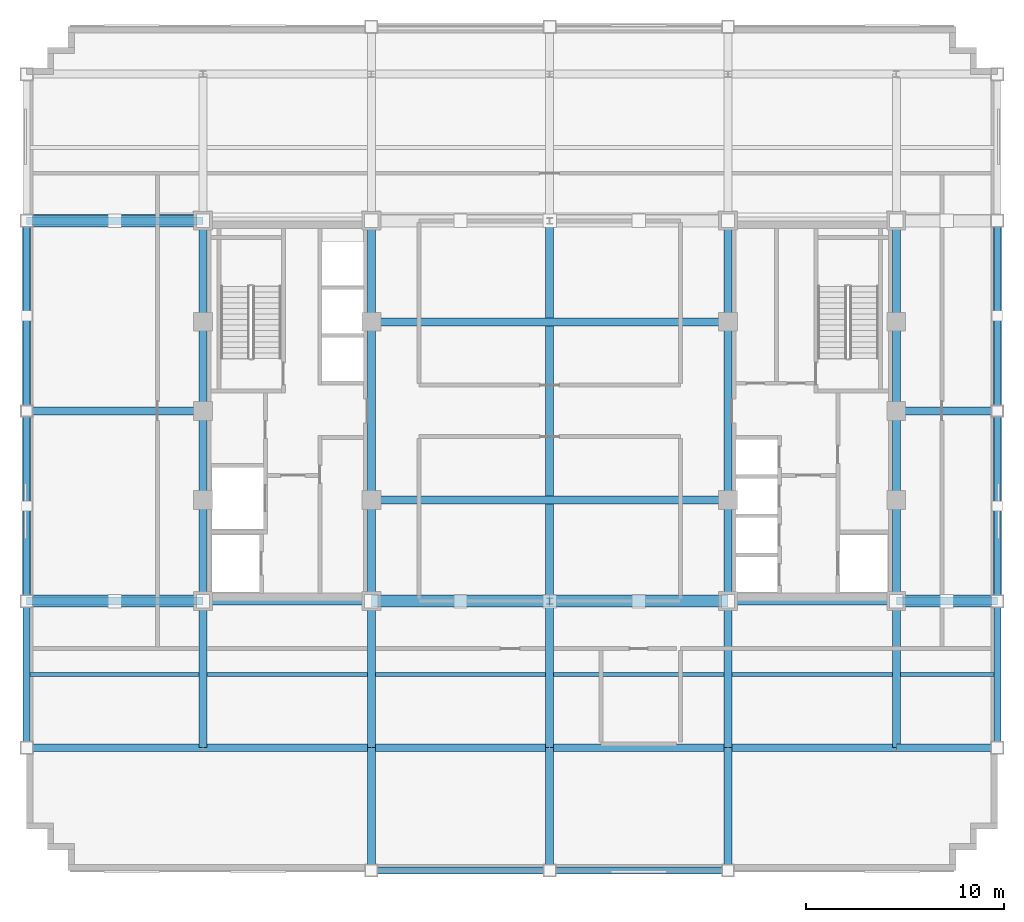
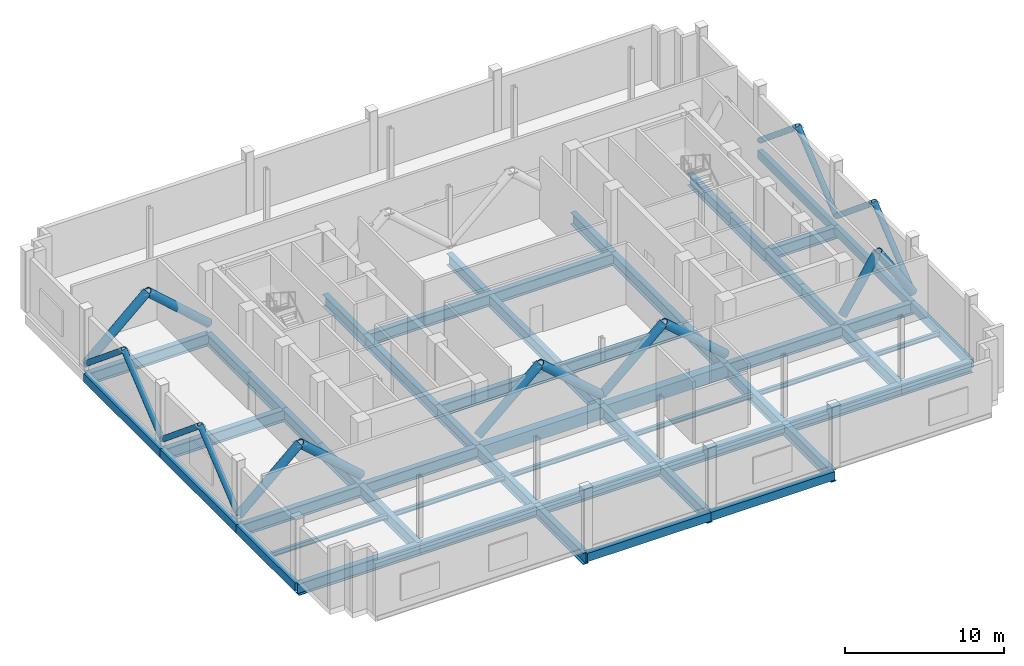
# One storey, part 5 of 13: 54 beams, 18 members.
"""IFC4 building model written with IfcOpenShell, lengths in metres."""

from ifc_helpers import new_model, si_unit, direction, frame, origin, origin_2d, place, context, subcontext, project, spatial, rectangle, hollow_circle, i_section, extrude, material, material_profile, profile_set, type_object, element, save


model = new_model("IFC4")

# Units and contexts
model_context = context("Model", 3, precision=1e-05, world=origin(), true_north=direction((0.0, 1.0)))
body_context = subcontext(model_context, "Body", "Model", "MODEL_VIEW")
ifc_project = project(units=[si_unit("LENGTHUNIT", "METRE"), si_unit("AREAUNIT", "SQUARE_METRE"), si_unit("VOLUMEUNIT", "CUBIC_METRE"), si_unit("PLANEANGLEUNIT", "RADIAN"), si_unit("MASSUNIT", "GRAM", prefix="KILO")], contexts=[model_context])

# Site, building, storey
site_placement = place(None, origin())
site = spatial("IfcSite", under=ifc_project, at=site_placement, CompositionType="ELEMENT")
building_placement = place(site_placement, origin())
building = spatial("IfcBuilding", under=site, at=building_placement, Name="Nuvemarco Arch Tower", CompositionType="ELEMENT")
storey_placement = place(building_placement, frame((0.0, 0.0, 185.89990234375)))
storey = spatial("IfcBuildingStorey", under=building, at=storey_placement, Name="L49", CompositionType="ELEMENT", Elevation=185.89990234375)

# Beams
ifc_material_1 = material(Name="Concrete C60/75", Category="concrete")
ifc_material_profile_1 = material_profile(ifc_material_1, rectangle(XDim=0.60009765625, YDim=0.949951171875, at=origin_2d()), Name="RC-BM-600x950")
ifc_profile_set_1 = profile_set([ifc_material_profile_1], Name="Concrete C60/75")
beam_type_1 = type_object("IfcBeamType", Name="BM-COUP-RC", PredefinedType="LINTEL", material=ifc_profile_set_1)
for number, where, z_axis, x_axis, name in (
    (1, (-9.0, -9.60009765625, -0.875), (1.0, 0.0, 0.0), (0.0, 1.0, 0.0), "L49 structural beam BGEW_L49_0_-9.6_-9.0"),
    (2, (0.0, -9.60009765625, -0.875), (1.0, 0.0, 0.0), (0.0, 1.0, 0.0), "L49 structural beam BGEW_L49_0_-9.6_+0.0"),
):
    element("IfcBeam", number, at=place(storey_placement, frame(where, z_axis=z_axis, x_axis=x_axis)), inside=storey, type_object=beam_type_1, Name=name, PredefinedType="LINTEL", context=body_context, shape_type="SweptSolid", body=[
        extrude(rectangle(XDim=0.60009765625, YDim=0.949951171875, at=origin_2d()), origin(), (0.0, 0.0, 1.0), 9.0),
    ])
ifc_material_2 = material(Name="Steel S355", Category="steel")
ifc_material_profile_2 = material_profile(ifc_material_2, i_section(OverallWidth=0.39990234375, OverallDepth=0.89990234375, WebThickness=0.02197265625, FlangeThickness=0.035888671875, FilletRadius=0.01611328125, at=origin_2d()), Name="PG900x400")
ifc_profile_set_2 = profile_set([ifc_material_profile_2], Name="Steel S355")
beam_type_2 = type_object("IfcBeamType", Name="BM-GIRD-900", PredefinedType="BEAM", material=ifc_profile_set_2)
beam_1_placement = place(storey_placement, frame((-17.5, -17.0, -0.849853515625), z_axis=(0.0, 1.0, 0.0), x_axis=(-1.0, 0.0, 0.0)))
element("IfcBeam", 3, at=beam_1_placement, inside=storey, type_object=beam_type_2, Name="L49 structural beam BGNS_L49_0_-17.5_-17.0", PredefinedType="BEAM", context=body_context, shape_type="SweptSolid", body=[
    extrude(i_section(OverallWidth=0.39990234375, OverallDepth=0.89990234375, WebThickness=0.02197265625, FlangeThickness=0.035888671875, FilletRadius=0.01611328125, at=origin_2d()), origin(), (0.0, 0.0, 1.0), 7.39990234375),
])
beam_2_placement = place(storey_placement, frame((-17.5, -9.60009765625, -0.849853515625), z_axis=(0.0, 1.0, 0.0), x_axis=(-1.0, 0.0, 0.0)))
element("IfcBeam", 4, at=beam_2_placement, inside=storey, type_object=beam_type_2, Name="L49 structural beam BGNS_L49_0_-17.5_-9.6", PredefinedType="BEAM", context=body_context, shape_type="SweptSolid", body=[
    extrude(i_section(OverallWidth=0.39990234375, OverallDepth=0.89990234375, WebThickness=0.02197265625, FlangeThickness=0.035888671875, FilletRadius=0.01611328125, at=origin_2d()), origin(), (0.0, 0.0, 1.0), 5.10009765625),
])
for number, where, z_axis, x_axis, name in (
    (5, (-17.5, -4.5, -0.849853515625), (0.0, 1.0, 0.0), (-1.0, 0.0, 0.0), "L49 structural beam BGNS_L49_0_-17.5_-4.5"),
    (6, (-17.5, 0.0, -0.849853515625), (0.0, 1.0, 0.0), (-1.0, 0.0, 0.0), "L49 structural beam BGNS_L49_0_-17.5_+0.0"),
):
    element("IfcBeam", number, at=place(storey_placement, frame(where, z_axis=z_axis, x_axis=x_axis)), inside=storey, type_object=beam_type_2, Name=name, PredefinedType="BEAM", context=body_context, shape_type="SweptSolid", body=[
        extrude(i_section(OverallWidth=0.39990234375, OverallDepth=0.89990234375, WebThickness=0.02197265625, FlangeThickness=0.035888671875, FilletRadius=0.01611328125, at=origin_2d()), origin(), (0.0, 0.0, 1.0), 4.5),
    ])
beam_3_placement = place(storey_placement, frame((-17.5, 4.5, -0.849853515625), z_axis=(0.0, 1.0, 0.0), x_axis=(-1.0, 0.0, 0.0)))
element("IfcBeam", 7, at=beam_3_placement, inside=storey, type_object=beam_type_2, Name="L49 structural beam BGNS_L49_0_-17.5_+4.5", PredefinedType="BEAM", context=body_context, shape_type="SweptSolid", body=[
    extrude(i_section(OverallWidth=0.39990234375, OverallDepth=0.89990234375, WebThickness=0.02197265625, FlangeThickness=0.035888671875, FilletRadius=0.01611328125, at=origin_2d()), origin(), (0.0, 0.0, 1.0), 5.10009765625),
])
beam_4_placement = place(storey_placement, frame((-9.0, -23.199951171875, -0.849853515625), z_axis=(0.0, 1.0, 0.0), x_axis=(-1.0, 0.0, 0.0)))
element("IfcBeam", 8, at=beam_4_placement, inside=storey, type_object=beam_type_2, Name="L49 structural beam BGNS_L49_0_-9.0_-23.2", PredefinedType="BEAM", context=body_context, shape_type="SweptSolid", body=[
    extrude(i_section(OverallWidth=0.39990234375, OverallDepth=0.89990234375, WebThickness=0.02197265625, FlangeThickness=0.035888671875, FilletRadius=0.01611328125, at=origin_2d()), origin(), (0.0, 0.0, 1.0), 6.199951171875),
])
beam_5_placement = place(storey_placement, frame((-9.0, -17.0, -0.849853515625), z_axis=(0.0, 1.0, 0.0), x_axis=(-1.0, 0.0, 0.0)))
element("IfcBeam", 9, at=beam_5_placement, inside=storey, type_object=beam_type_2, Name="L49 structural beam BGNS_L49_0_-9.0_-17.0", PredefinedType="BEAM", context=body_context, shape_type="SweptSolid", body=[
    extrude(i_section(OverallWidth=0.39990234375, OverallDepth=0.89990234375, WebThickness=0.02197265625, FlangeThickness=0.035888671875, FilletRadius=0.01611328125, at=origin_2d()), origin(), (0.0, 0.0, 1.0), 7.39990234375),
])
beam_6_placement = place(storey_placement, frame((-9.0, -9.60009765625, -0.849853515625), z_axis=(0.0, 1.0, 0.0), x_axis=(-1.0, 0.0, 0.0)))
element("IfcBeam", 10, at=beam_6_placement, inside=storey, type_object=beam_type_2, Name="L49 structural beam BGNS_L49_0_-9.0_-9.6", PredefinedType="BEAM", context=body_context, shape_type="SweptSolid", body=[
    extrude(i_section(OverallWidth=0.39990234375, OverallDepth=0.89990234375, WebThickness=0.02197265625, FlangeThickness=0.035888671875, FilletRadius=0.01611328125, at=origin_2d()), origin(), (0.0, 0.0, 1.0), 5.10009765625),
])
beam_7_placement = place(storey_placement, frame((-9.0, -4.5, -0.849853515625), z_axis=(0.0, 1.0, 0.0), x_axis=(-1.0, 0.0, 0.0)))
element("IfcBeam", 11, at=beam_7_placement, inside=storey, type_object=beam_type_2, Name="L49 structural beam BGNS_L49_0_-9.0_-4.5", PredefinedType="BEAM", context=body_context, shape_type="SweptSolid", body=[
    extrude(i_section(OverallWidth=0.39990234375, OverallDepth=0.89990234375, WebThickness=0.02197265625, FlangeThickness=0.035888671875, FilletRadius=0.01611328125, at=origin_2d()), origin(), (0.0, 0.0, 1.0), 9.0),
])
beam_8_placement = place(storey_placement, frame((-9.0, 4.5, -0.849853515625), z_axis=(0.0, 1.0, 0.0), x_axis=(-1.0, 0.0, 0.0)))
element("IfcBeam", 12, at=beam_8_placement, inside=storey, type_object=beam_type_2, Name="L49 structural beam BGNS_L49_0_-9.0_+4.5", PredefinedType="BEAM", context=body_context, shape_type="SweptSolid", body=[
    extrude(i_section(OverallWidth=0.39990234375, OverallDepth=0.89990234375, WebThickness=0.02197265625, FlangeThickness=0.035888671875, FilletRadius=0.01611328125, at=origin_2d()), origin(), (0.0, 0.0, 1.0), 5.10009765625),
])
beam_9_placement = place(storey_placement, frame((0.0, -23.199951171875, -0.849853515625), z_axis=(0.0, 1.0, 0.0), x_axis=(-1.0, 0.0, 0.0)))
element("IfcBeam", 13, at=beam_9_placement, inside=storey, type_object=beam_type_2, Name="L49 structural beam BGNS_L49_0_+0.0_-23.2", PredefinedType="BEAM", context=body_context, shape_type="SweptSolid", body=[
    extrude(i_section(OverallWidth=0.39990234375, OverallDepth=0.89990234375, WebThickness=0.02197265625, FlangeThickness=0.035888671875, FilletRadius=0.01611328125, at=origin_2d()), origin(), (0.0, 0.0, 1.0), 6.199951171875),
])
beam_10_placement = place(storey_placement, frame((0.0, -17.0, -0.849853515625), z_axis=(0.0, 1.0, 0.0), x_axis=(-1.0, 0.0, 0.0)))
element("IfcBeam", 14, at=beam_10_placement, inside=storey, type_object=beam_type_2, Name="L49 structural beam BGNS_L49_0_+0.0_-17.0", PredefinedType="BEAM", context=body_context, shape_type="SweptSolid", body=[
    extrude(i_section(OverallWidth=0.39990234375, OverallDepth=0.89990234375, WebThickness=0.02197265625, FlangeThickness=0.035888671875, FilletRadius=0.01611328125, at=origin_2d()), origin(), (0.0, 0.0, 1.0), 7.39990234375),
])
beam_11_placement = place(storey_placement, frame((0.0, -9.60009765625, -0.849853515625), z_axis=(0.0, 1.0, 0.0), x_axis=(-1.0, 0.0, 0.0)))
element("IfcBeam", 15, at=beam_11_placement, inside=storey, type_object=beam_type_2, Name="L49 structural beam BGNS_L49_0_+0.0_-9.6", PredefinedType="BEAM", context=body_context, shape_type="SweptSolid", body=[
    extrude(i_section(OverallWidth=0.39990234375, OverallDepth=0.89990234375, WebThickness=0.02197265625, FlangeThickness=0.035888671875, FilletRadius=0.01611328125, at=origin_2d()), origin(), (0.0, 0.0, 1.0), 19.2001953125),
])
beam_12_placement = place(storey_placement, frame((9.0, -23.199951171875, -0.849853515625), z_axis=(0.0, 1.0, 0.0), x_axis=(-1.0, 0.0, 0.0)))
element("IfcBeam", 16, at=beam_12_placement, inside=storey, type_object=beam_type_2, Name="L49 structural beam BGNS_L49_0_+9.0_-23.2", PredefinedType="BEAM", context=body_context, shape_type="SweptSolid", body=[
    extrude(i_section(OverallWidth=0.39990234375, OverallDepth=0.89990234375, WebThickness=0.02197265625, FlangeThickness=0.035888671875, FilletRadius=0.01611328125, at=origin_2d()), origin(), (0.0, 0.0, 1.0), 6.199951171875),
])
beam_13_placement = place(storey_placement, frame((9.0, -17.0, -0.849853515625), z_axis=(0.0, 1.0, 0.0), x_axis=(-1.0, 0.0, 0.0)))
element("IfcBeam", 17, at=beam_13_placement, inside=storey, type_object=beam_type_2, Name="L49 structural beam BGNS_L49_0_+9.0_-17.0", PredefinedType="BEAM", context=body_context, shape_type="SweptSolid", body=[
    extrude(i_section(OverallWidth=0.39990234375, OverallDepth=0.89990234375, WebThickness=0.02197265625, FlangeThickness=0.035888671875, FilletRadius=0.01611328125, at=origin_2d()), origin(), (0.0, 0.0, 1.0), 7.39990234375),
])
beam_14_placement = place(storey_placement, frame((9.0, -9.60009765625, -0.849853515625), z_axis=(0.0, 1.0, 0.0), x_axis=(-1.0, 0.0, 0.0)))
element("IfcBeam", 18, at=beam_14_placement, inside=storey, type_object=beam_type_2, Name="L49 structural beam BGNS_L49_0_+9.0_-9.6", PredefinedType="BEAM", context=body_context, shape_type="SweptSolid", body=[
    extrude(i_section(OverallWidth=0.39990234375, OverallDepth=0.89990234375, WebThickness=0.02197265625, FlangeThickness=0.035888671875, FilletRadius=0.01611328125, at=origin_2d()), origin(), (0.0, 0.0, 1.0), 5.10009765625),
])
beam_15_placement = place(storey_placement, frame((9.0, -4.5, -0.849853515625), z_axis=(0.0, 1.0, 0.0), x_axis=(-1.0, 0.0, 0.0)))
element("IfcBeam", 19, at=beam_15_placement, inside=storey, type_object=beam_type_2, Name="L49 structural beam BGNS_L49_0_+9.0_-4.5", PredefinedType="BEAM", context=body_context, shape_type="SweptSolid", body=[
    extrude(i_section(OverallWidth=0.39990234375, OverallDepth=0.89990234375, WebThickness=0.02197265625, FlangeThickness=0.035888671875, FilletRadius=0.01611328125, at=origin_2d()), origin(), (0.0, 0.0, 1.0), 9.0),
])
beam_16_placement = place(storey_placement, frame((9.0, 4.5, -0.849853515625), z_axis=(0.0, 1.0, 0.0), x_axis=(-1.0, 0.0, 0.0)))
element("IfcBeam", 20, at=beam_16_placement, inside=storey, type_object=beam_type_2, Name="L49 structural beam BGNS_L49_0_+9.0_+4.5", PredefinedType="BEAM", context=body_context, shape_type="SweptSolid", body=[
    extrude(i_section(OverallWidth=0.39990234375, OverallDepth=0.89990234375, WebThickness=0.02197265625, FlangeThickness=0.035888671875, FilletRadius=0.01611328125, at=origin_2d()), origin(), (0.0, 0.0, 1.0), 5.10009765625),
])
beam_17_placement = place(storey_placement, frame((17.5, -17.0, -0.849853515625), z_axis=(0.0, 1.0, 0.0), x_axis=(-1.0, 0.0, 0.0)))
element("IfcBeam", 21, at=beam_17_placement, inside=storey, type_object=beam_type_2, Name="L49 structural beam BGNS_L49_0_+17.5_-17.0", PredefinedType="BEAM", context=body_context, shape_type="SweptSolid", body=[
    extrude(i_section(OverallWidth=0.39990234375, OverallDepth=0.89990234375, WebThickness=0.02197265625, FlangeThickness=0.035888671875, FilletRadius=0.01611328125, at=origin_2d()), origin(), (0.0, 0.0, 1.0), 7.39990234375),
])
beam_18_placement = place(storey_placement, frame((17.5, -9.60009765625, -0.849853515625), z_axis=(0.0, 1.0, 0.0), x_axis=(-1.0, 0.0, 0.0)))
element("IfcBeam", 22, at=beam_18_placement, inside=storey, type_object=beam_type_2, Name="L49 structural beam BGNS_L49_0_+17.5_-9.6", PredefinedType="BEAM", context=body_context, shape_type="SweptSolid", body=[
    extrude(i_section(OverallWidth=0.39990234375, OverallDepth=0.89990234375, WebThickness=0.02197265625, FlangeThickness=0.035888671875, FilletRadius=0.01611328125, at=origin_2d()), origin(), (0.0, 0.0, 1.0), 5.10009765625),
])
for number, where, z_axis, x_axis, name in (
    (23, (17.5, -4.5, -0.849853515625), (0.0, 1.0, 0.0), (-1.0, 0.0, 0.0), "L49 structural beam BGNS_L49_0_+17.5_-4.5"),
    (24, (17.5, 0.0, -0.849853515625), (0.0, 1.0, 0.0), (-1.0, 0.0, 0.0), "L49 structural beam BGNS_L49_0_+17.5_+0.0"),
):
    element("IfcBeam", number, at=place(storey_placement, frame(where, z_axis=z_axis, x_axis=x_axis)), inside=storey, type_object=beam_type_2, Name=name, PredefinedType="BEAM", context=body_context, shape_type="SweptSolid", body=[
        extrude(i_section(OverallWidth=0.39990234375, OverallDepth=0.89990234375, WebThickness=0.02197265625, FlangeThickness=0.035888671875, FilletRadius=0.01611328125, at=origin_2d()), origin(), (0.0, 0.0, 1.0), 4.5),
    ])
beam_19_placement = place(storey_placement, frame((17.5, 4.5, -0.849853515625), z_axis=(0.0, 1.0, 0.0), x_axis=(-1.0, 0.0, 0.0)))
element("IfcBeam", 25, at=beam_19_placement, inside=storey, type_object=beam_type_2, Name="L49 structural beam BGNS_L49_0_+17.5_+4.5", PredefinedType="BEAM", context=body_context, shape_type="SweptSolid", body=[
    extrude(i_section(OverallWidth=0.39990234375, OverallDepth=0.89990234375, WebThickness=0.02197265625, FlangeThickness=0.035888671875, FilletRadius=0.01611328125, at=origin_2d()), origin(), (0.0, 0.0, 1.0), 5.10009765625),
])
beam_20_placement = place(storey_placement, frame((-26.39990234375, -17.0, -0.849853515625), z_axis=(1.0, 0.0, 0.0), x_axis=(0.0, 1.0, 0.0)))
element("IfcBeam", 26, at=beam_20_placement, inside=storey, type_object=beam_type_2, Name="L49 structural beam BGEW_L49_0_-17.0_-26.4", PredefinedType="BEAM", context=body_context, shape_type="SweptSolid", body=[
    extrude(i_section(OverallWidth=0.39990234375, OverallDepth=0.89990234375, WebThickness=0.02197265625, FlangeThickness=0.035888671875, FilletRadius=0.01611328125, at=origin_2d()), origin(), (0.0, 0.0, 1.0), 8.89990234375),
])
beam_21_placement = place(storey_placement, frame((-17.5, -17.0, -0.849853515625), z_axis=(1.0, 0.0, 0.0), x_axis=(0.0, 1.0, 0.0)))
element("IfcBeam", 27, at=beam_21_placement, inside=storey, type_object=beam_type_2, Name="L49 structural beam BGEW_L49_0_-17.0_-17.5", PredefinedType="BEAM", context=body_context, shape_type="SweptSolid", body=[
    extrude(i_section(OverallWidth=0.39990234375, OverallDepth=0.89990234375, WebThickness=0.02197265625, FlangeThickness=0.035888671875, FilletRadius=0.01611328125, at=origin_2d()), origin(), (0.0, 0.0, 1.0), 8.5),
])
for number, where, z_axis, x_axis, name in (
    (28, (-9.0, -17.0, -0.849853515625), (1.0, 0.0, 0.0), (0.0, 1.0, 0.0), "L49 structural beam BGEW_L49_0_-17.0_-9.0"),
    (29, (0.0, -17.0, -0.849853515625), (1.0, 0.0, 0.0), (0.0, 1.0, 0.0), "L49 structural beam BGEW_L49_0_-17.0_+0.0"),
):
    element("IfcBeam", number, at=place(storey_placement, frame(where, z_axis=z_axis, x_axis=x_axis)), inside=storey, type_object=beam_type_2, Name=name, PredefinedType="BEAM", context=body_context, shape_type="SweptSolid", body=[
        extrude(i_section(OverallWidth=0.39990234375, OverallDepth=0.89990234375, WebThickness=0.02197265625, FlangeThickness=0.035888671875, FilletRadius=0.01611328125, at=origin_2d()), origin(), (0.0, 0.0, 1.0), 9.0),
    ])
beam_22_placement = place(storey_placement, frame((9.0, -17.0, -0.849853515625), z_axis=(1.0, 0.0, 0.0), x_axis=(0.0, 1.0, 0.0)))
element("IfcBeam", 30, at=beam_22_placement, inside=storey, type_object=beam_type_2, Name="L49 structural beam BGEW_L49_0_-17.0_+9.0", PredefinedType="BEAM", context=body_context, shape_type="SweptSolid", body=[
    extrude(i_section(OverallWidth=0.39990234375, OverallDepth=0.89990234375, WebThickness=0.02197265625, FlangeThickness=0.035888671875, FilletRadius=0.01611328125, at=origin_2d()), origin(), (0.0, 0.0, 1.0), 8.5),
])
beam_23_placement = place(storey_placement, frame((17.5, -17.0, -0.849853515625), z_axis=(1.0, 0.0, 0.0), x_axis=(0.0, 1.0, 0.0)))
element("IfcBeam", 31, at=beam_23_placement, inside=storey, type_object=beam_type_2, Name="L49 structural beam BGEW_L49_0_-17.0_+17.5", PredefinedType="BEAM", context=body_context, shape_type="SweptSolid", body=[
    extrude(i_section(OverallWidth=0.39990234375, OverallDepth=0.89990234375, WebThickness=0.02197265625, FlangeThickness=0.035888671875, FilletRadius=0.01611328125, at=origin_2d()), origin(), (0.0, 0.0, 1.0), 5.10009765625),
])
beam_24_placement = place(storey_placement, frame((-26.39990234375, -9.60009765625, -0.849853515625), z_axis=(1.0, 0.0, 0.0), x_axis=(0.0, 1.0, 0.0)))
element("IfcBeam", 32, at=beam_24_placement, inside=storey, type_object=beam_type_2, Name="L49 structural beam BGEW_L49_0_-9.6_-26.4", PredefinedType="BEAM", context=body_context, shape_type="SweptSolid", body=[
    extrude(i_section(OverallWidth=0.39990234375, OverallDepth=0.89990234375, WebThickness=0.02197265625, FlangeThickness=0.035888671875, FilletRadius=0.01611328125, at=origin_2d()), origin(), (0.0, 0.0, 1.0), 8.89990234375),
])
for number, where, z_axis, x_axis, name in (
    (33, (-17.5, -9.60009765625, -0.849853515625), (1.0, 0.0, 0.0), (0.0, 1.0, 0.0), "L49 structural beam BGEW_L49_0_-9.6_-17.5"),
    (34, (9.0, -9.60009765625, -0.849853515625), (1.0, 0.0, 0.0), (0.0, 1.0, 0.0), "L49 structural beam BGEW_L49_0_-9.6_+9.0"),
):
    element("IfcBeam", number, at=place(storey_placement, frame(where, z_axis=z_axis, x_axis=x_axis)), inside=storey, type_object=beam_type_2, Name=name, PredefinedType="BEAM", context=body_context, shape_type="SweptSolid", body=[
        extrude(i_section(OverallWidth=0.39990234375, OverallDepth=0.89990234375, WebThickness=0.02197265625, FlangeThickness=0.035888671875, FilletRadius=0.01611328125, at=origin_2d()), origin(), (0.0, 0.0, 1.0), 8.5),
    ])
beam_25_placement = place(storey_placement, frame((17.5, -9.60009765625, -0.849853515625), z_axis=(1.0, 0.0, 0.0), x_axis=(0.0, 1.0, 0.0)))
element("IfcBeam", 35, at=beam_25_placement, inside=storey, type_object=beam_type_2, Name="L49 structural beam BGEW_L49_0_-9.6_+17.5", PredefinedType="BEAM", context=body_context, shape_type="SweptSolid", body=[
    extrude(i_section(OverallWidth=0.39990234375, OverallDepth=0.89990234375, WebThickness=0.02197265625, FlangeThickness=0.035888671875, FilletRadius=0.01611328125, at=origin_2d()), origin(), (0.0, 0.0, 1.0), 5.10009765625),
])
beam_26_placement = place(storey_placement, frame((-9.0, -4.5, -0.849853515625), z_axis=(1.0, 0.0, 0.0), x_axis=(0.0, 1.0, 0.0)))
element("IfcBeam", 36, at=beam_26_placement, inside=storey, type_object=beam_type_2, Name="L49 structural beam BGEW_L49_0_-4.5_-9.0", PredefinedType="BEAM", context=body_context, shape_type="SweptSolid", body=[
    extrude(i_section(OverallWidth=0.39990234375, OverallDepth=0.89990234375, WebThickness=0.02197265625, FlangeThickness=0.035888671875, FilletRadius=0.01611328125, at=origin_2d()), origin(), (0.0, 0.0, 1.0), 18.0),
])
beam_27_placement = place(storey_placement, frame((-26.39990234375, 0.0, -0.849853515625), z_axis=(1.0, 0.0, 0.0), x_axis=(0.0, 1.0, 0.0)))
element("IfcBeam", 37, at=beam_27_placement, inside=storey, type_object=beam_type_2, Name="L49 structural beam BGEW_L49_0_+0.0_-26.4", PredefinedType="BEAM", context=body_context, shape_type="SweptSolid", body=[
    extrude(i_section(OverallWidth=0.39990234375, OverallDepth=0.89990234375, WebThickness=0.02197265625, FlangeThickness=0.035888671875, FilletRadius=0.01611328125, at=origin_2d()), origin(), (0.0, 0.0, 1.0), 8.89990234375),
])
beam_28_placement = place(storey_placement, frame((17.5, 0.0, -0.849853515625), z_axis=(1.0, 0.0, 0.0), x_axis=(0.0, 1.0, 0.0)))
element("IfcBeam", 38, at=beam_28_placement, inside=storey, type_object=beam_type_2, Name="L49 structural beam BGEW_L49_0_+0.0_+17.5", PredefinedType="BEAM", context=body_context, shape_type="SweptSolid", body=[
    extrude(i_section(OverallWidth=0.39990234375, OverallDepth=0.89990234375, WebThickness=0.02197265625, FlangeThickness=0.035888671875, FilletRadius=0.01611328125, at=origin_2d()), origin(), (0.0, 0.0, 1.0), 5.10009765625),
])
beam_29_placement = place(storey_placement, frame((-9.0, 4.5, -0.849853515625), z_axis=(1.0, 0.0, 0.0), x_axis=(0.0, 1.0, 0.0)))
element("IfcBeam", 39, at=beam_29_placement, inside=storey, type_object=beam_type_2, Name="L49 structural beam BGEW_L49_0_+4.5_-9.0", PredefinedType="BEAM", context=body_context, shape_type="SweptSolid", body=[
    extrude(i_section(OverallWidth=0.39990234375, OverallDepth=0.89990234375, WebThickness=0.02197265625, FlangeThickness=0.035888671875, FilletRadius=0.01611328125, at=origin_2d()), origin(), (0.0, 0.0, 1.0), 18.0),
])
beam_30_placement = place(storey_placement, frame((-26.39990234375, 9.60009765625, -0.849853515625), z_axis=(1.0, 0.0, 0.0), x_axis=(0.0, 1.0, 0.0)))
element("IfcBeam", 40, at=beam_30_placement, inside=storey, type_object=beam_type_2, Name="L49 structural beam BGEW_L49_0_+9.6_-26.4", PredefinedType="BEAM", context=body_context, shape_type="SweptSolid", body=[
    extrude(i_section(OverallWidth=0.39990234375, OverallDepth=0.89990234375, WebThickness=0.02197265625, FlangeThickness=0.035888671875, FilletRadius=0.01611328125, at=origin_2d()), origin(), (0.0, 0.0, 1.0), 8.89990234375),
])
ifc_material_profile_3 = material_profile(ifc_material_2, i_section(OverallWidth=0.202880859375, OverallDepth=0.346923828125, WebThickness=0.0078125, FlangeThickness=0.013427734375, FilletRadius=0.014892578125, at=origin_2d()), Name="W360x64")
ifc_profile_set_3 = profile_set([ifc_material_profile_3], Name="Steel S355")
beam_type_3 = type_object("IfcBeamType", Name="BM-JOIST-360", PredefinedType="JOIST", material=ifc_profile_set_3)
beam_31_placement = place(storey_placement, frame((-26.22509765625, -13.300048828125, -0.573486328125), z_axis=(1.0, 0.0, 0.0), x_axis=(0.0, 1.0, 0.0)))
element("IfcBeam", 41, at=beam_31_placement, inside=storey, type_object=beam_type_3, Name="L49 structural beam BJ_L49_0_-13.3_-26.4", PredefinedType="JOIST", context=body_context, shape_type="SweptSolid", body=[
    extrude(i_section(OverallWidth=0.202880859375, OverallDepth=0.346923828125, WebThickness=0.0078125, FlangeThickness=0.013427734375, FilletRadius=0.014892578125, at=origin_2d()), origin(), (0.0, 0.0, 1.0), 8.525146484375),
])
beam_32_placement = place(storey_placement, frame((-17.300048828125, -13.300048828125, -0.573486328125), z_axis=(1.0, 0.0, 0.0), x_axis=(0.0, 1.0, 0.0)))
element("IfcBeam", 42, at=beam_32_placement, inside=storey, type_object=beam_type_3, Name="L49 structural beam BJ_L49_0_-13.3_-17.5", PredefinedType="JOIST", context=body_context, shape_type="SweptSolid", body=[
    extrude(i_section(OverallWidth=0.202880859375, OverallDepth=0.346923828125, WebThickness=0.0078125, FlangeThickness=0.013427734375, FilletRadius=0.014892578125, at=origin_2d()), origin(), (0.0, 0.0, 1.0), 8.10009765625),
])
for number, where, z_axis, x_axis, name in (
    (43, (-8.800048828125, -13.300048828125, -0.573486328125), (1.0, 0.0, 0.0), (0.0, 1.0, 0.0), "L49 structural beam BJ_L49_0_-13.3_-9.0"),
    (44, (0.199951171875, -13.300048828125, -0.573486328125), (1.0, 0.0, 0.0), (0.0, 1.0, 0.0), "L49 structural beam BJ_L49_0_-13.3_+0.0"),
):
    element("IfcBeam", number, at=place(storey_placement, frame(where, z_axis=z_axis, x_axis=x_axis)), inside=storey, type_object=beam_type_3, Name=name, PredefinedType="JOIST", context=body_context, shape_type="SweptSolid", body=[
        extrude(i_section(OverallWidth=0.202880859375, OverallDepth=0.346923828125, WebThickness=0.0078125, FlangeThickness=0.013427734375, FilletRadius=0.014892578125, at=origin_2d()), origin(), (0.0, 0.0, 1.0), 8.60009765625),
    ])
beam_33_placement = place(storey_placement, frame((9.199951171875, -13.300048828125, -0.573486328125), z_axis=(1.0, 0.0, 0.0), x_axis=(0.0, 1.0, 0.0)))
element("IfcBeam", 45, at=beam_33_placement, inside=storey, type_object=beam_type_3, Name="L49 structural beam BJ_L49_0_-13.3_+9.0", PredefinedType="JOIST", context=body_context, shape_type="SweptSolid", body=[
    extrude(i_section(OverallWidth=0.202880859375, OverallDepth=0.346923828125, WebThickness=0.0078125, FlangeThickness=0.013427734375, FilletRadius=0.014892578125, at=origin_2d()), origin(), (0.0, 0.0, 1.0), 8.10009765625),
])
beam_34_placement = place(storey_placement, frame((17.699951171875, -13.300048828125, -0.573486328125), z_axis=(1.0, 0.0, 0.0), x_axis=(0.0, 1.0, 0.0)))
element("IfcBeam", 46, at=beam_34_placement, inside=storey, type_object=beam_type_3, Name="L49 structural beam BJ_L49_0_-13.3_+17.5", PredefinedType="JOIST", context=body_context, shape_type="SweptSolid", body=[
    extrude(i_section(OverallWidth=0.202880859375, OverallDepth=0.346923828125, WebThickness=0.0078125, FlangeThickness=0.013427734375, FilletRadius=0.014892578125, at=origin_2d()), origin(), (0.0, 0.0, 1.0), 4.72509765625),
])
ifc_material_3 = material(Name="Precast concrete C45/55", Category="concrete")
ifc_material_profile_4 = material_profile(ifc_material_3, rectangle(XDim=0.35009765625, YDim=0.64990234375, at=origin_2d()), Name="PC-SP-350x650")
ifc_profile_set_4 = profile_set([ifc_material_profile_4], Name="Precast concrete C45/55")
beam_type_4 = type_object("IfcBeamType", Name="BM-SPAN-RC", PredefinedType="SPANDREL", material=ifc_profile_set_4)
beam_35_placement = place(storey_placement, frame((-26.39990234375, -17.0, -0.724853515625), z_axis=(0.0, 1.0, 0.0), x_axis=(-1.0, 0.0, 0.0)))
element("IfcBeam", 47, at=beam_35_placement, inside=storey, type_object=beam_type_4, Name="L49 structural beam BGNS_L49_0_-26.4_-17.0", PredefinedType="SPANDREL", context=body_context, shape_type="SweptSolid", body=[
    extrude(rectangle(XDim=0.35009765625, YDim=0.64990234375, at=origin_2d()), origin(), (0.0, 0.0, 1.0), 7.39990234375),
])
for number, where, z_axis, x_axis, name in (
    (48, (-26.39990234375, -9.60009765625, -0.724853515625), (0.0, 1.0, 0.0), (-1.0, 0.0, 0.0), "L49 structural beam BGNS_L49_0_-26.4_-9.6"),
    (49, (-26.39990234375, 0.0, -0.724853515625), (0.0, 1.0, 0.0), (-1.0, 0.0, 0.0), "L49 structural beam BGNS_L49_0_-26.4_+0.0"),
):
    element("IfcBeam", number, at=place(storey_placement, frame(where, z_axis=z_axis, x_axis=x_axis)), inside=storey, type_object=beam_type_4, Name=name, PredefinedType="SPANDREL", context=body_context, shape_type="SweptSolid", body=[
        extrude(rectangle(XDim=0.35009765625, YDim=0.64990234375, at=origin_2d()), origin(), (0.0, 0.0, 1.0), 9.60009765625),
    ])
beam_36_placement = place(storey_placement, frame((22.60009765625, -17.0, -0.724853515625), z_axis=(0.0, 1.0, 0.0), x_axis=(-1.0, 0.0, 0.0)))
element("IfcBeam", 50, at=beam_36_placement, inside=storey, type_object=beam_type_4, Name="L49 structural beam BGNS_L49_0_+22.6_-17.0", PredefinedType="SPANDREL", context=body_context, shape_type="SweptSolid", body=[
    extrude(rectangle(XDim=0.35009765625, YDim=0.64990234375, at=origin_2d()), origin(), (0.0, 0.0, 1.0), 7.39990234375),
])
for number, where, z_axis, x_axis, name in (
    (51, (22.60009765625, -9.60009765625, -0.724853515625), (0.0, 1.0, 0.0), (-1.0, 0.0, 0.0), "L49 structural beam BGNS_L49_0_+22.6_-9.6"),
    (52, (22.60009765625, 0.0, -0.724853515625), (0.0, 1.0, 0.0), (-1.0, 0.0, 0.0), "L49 structural beam BGNS_L49_0_+22.6_+0.0"),
):
    element("IfcBeam", number, at=place(storey_placement, frame(where, z_axis=z_axis, x_axis=x_axis)), inside=storey, type_object=beam_type_4, Name=name, PredefinedType="SPANDREL", context=body_context, shape_type="SweptSolid", body=[
        extrude(rectangle(XDim=0.35009765625, YDim=0.64990234375, at=origin_2d()), origin(), (0.0, 0.0, 1.0), 9.60009765625),
    ])
for number, where, z_axis, x_axis, name in (
    (53, (-9.0, -23.199951171875, -0.724853515625), (1.0, 0.0, 0.0), (0.0, 1.0, 0.0), "L49 structural beam BGEW_L49_0_-23.2_-9.0"),
    (54, (0.0, -23.199951171875, -0.724853515625), (1.0, 0.0, 0.0), (0.0, 1.0, 0.0), "L49 structural beam BGEW_L49_0_-23.2_+0.0"),
):
    element("IfcBeam", number, at=place(storey_placement, frame(where, z_axis=z_axis, x_axis=x_axis)), inside=storey, type_object=beam_type_4, Name=name, PredefinedType="SPANDREL", context=body_context, shape_type="SweptSolid", body=[
        extrude(rectangle(XDim=0.35009765625, YDim=0.64990234375, at=origin_2d()), origin(), (0.0, 0.0, 1.0), 9.0),
    ])

# Members
ifc_material_profile_5 = material_profile(ifc_material_2, hollow_circle(Radius=0.203125, WallThickness=0.02490234375, at=origin_2d()), Name="CHS406.4x25")
ifc_profile_set_5 = profile_set([ifc_material_profile_5], Name="Steel S355")
member_type_1 = type_object("IfcMemberType", Name="MB-BELT-1", PredefinedType="CHORD", material=ifc_profile_set_5)
for number, where, z_axis, x_axis, name in (
    (55, (-26.39990234375, -9.60009765625, 0.300048828125), (0.0, 0.770590115692, 0.637331054945), (-1.0, 0.0, 0.0), "L49 perimeter belt-truss brace W-1"),
    (56, (-26.39990234375, -4.800048828125, 4.27001953125), (0.0, 0.770590115692, -0.637331054945), (-1.0, 0.0, 0.0), "L49 perimeter belt-truss brace W-2"),
    (57, (-26.39990234375, 0.0, 0.300048828125), (0.0, 0.770590115692, 0.637331054945), (-1.0, 0.0, 0.0), "L49 perimeter belt-truss brace W-3"),
    (58, (-26.39990234375, 4.800048828125, 4.27001953125), (0.0, 0.770590115692, -0.637331054945), (-1.0, 0.0, 0.0), "L49 perimeter belt-truss brace W-4"),
    (59, (22.60009765625, -9.60009765625, 0.300048828125), (0.0, 0.770590115692, 0.637331054945), (-1.0, 0.0, 0.0), "L49 perimeter belt-truss brace E-1"),
    (60, (22.60009765625, -4.800048828125, 4.27001953125), (0.0, 0.770590115692, -0.637331054945), (-1.0, 0.0, 0.0), "L49 perimeter belt-truss brace E-2"),
    (61, (22.60009765625, 0.0, 0.300048828125), (0.0, 0.770590115692, 0.637331054945), (-1.0, 0.0, 0.0), "L49 perimeter belt-truss brace E-3"),
    (62, (22.60009765625, 4.800048828125, 4.27001953125), (0.0, 0.770590115692, -0.637331054945), (-1.0, 0.0, 0.0), "L49 perimeter belt-truss brace E-4"),
):
    element("IfcMember", number, at=place(storey_placement, frame(where, z_axis=z_axis, x_axis=x_axis)), inside=storey, type_object=member_type_1, Name=name, PredefinedType="CHORD", context=body_context, shape_type="SweptSolid", body=[
        extrude(hollow_circle(Radius=0.203125, WallThickness=0.02490234375, at=origin_2d()), origin(), (0.0, 0.0, 1.0), 6.22900390625),
    ])
ifc_material_profile_6 = material_profile(ifc_material_2, hollow_circle(Radius=0.304931640625, WallThickness=0.0400390625, at=origin_2d()), Name="CHS610x40")
ifc_profile_set_6 = profile_set([ifc_material_profile_6], Name="Steel S355")
member_type_2 = type_object("IfcMemberType", Name="MB-OUTRIGGER-2", PredefinedType="BRACE", material=ifc_profile_set_6)
for number, where, z_axis, x_axis, name in (
    (63, (-26.39990234375, -9.60009765625, 0.300048828125), (0.746204188012, 0.0, 0.665717139477), (0.0, 1.0, 0.0), "L49 outrigger truss brace west 1"),
    (64, (-21.949951171875, -9.60009765625, 4.27001953125), (0.746204188012, 0.0, -0.665717139477), (0.0, 1.0, 0.0), "L49 outrigger truss brace west 2"),
):
    element("IfcMember", number, at=place(storey_placement, frame(where, z_axis=z_axis, x_axis=x_axis)), inside=storey, type_object=member_type_2, Name=name, PredefinedType="BRACE", context=body_context, shape_type="SweptSolid", body=[
        extrude(hollow_circle(Radius=0.304931640625, WallThickness=0.0400390625, at=origin_2d()), origin(), (0.0, 0.0, 1.0), 5.96337890625),
    ])
for number, where, z_axis, x_axis, name in (
    (65, (17.5, -9.60009765625, 0.300048828125), (0.54044635446, 0.0, 0.841378474856), (0.0, 1.0, 0.0), "L49 outrigger truss brace east 1"),
    (66, (20.050048828125, -9.60009765625, 4.27001953125), (0.54044635446, 0.0, -0.841378474856), (0.0, 1.0, 0.0), "L49 outrigger truss brace east 2"),
):
    element("IfcMember", number, at=place(storey_placement, frame(where, z_axis=z_axis, x_axis=x_axis)), inside=storey, type_object=member_type_2, Name=name, PredefinedType="BRACE", context=body_context, shape_type="SweptSolid", body=[
        extrude(hollow_circle(Radius=0.304931640625, WallThickness=0.0400390625, at=origin_2d()), origin(), (0.0, 0.0, 1.0), 4.718505859375),
    ])
for number, where, z_axis, x_axis, name in (
    (67, (-9.0, -9.60009765625, 0.300048828125), (0.749888906109, 0.0, 0.661563775078), (0.0, 1.0, 0.0), "L49 central outrigger link truss brace 1"),
    (68, (-4.5, -9.60009765625, 4.27001953125), (0.749888906109, 0.0, -0.661563775078), (0.0, 1.0, 0.0), "L49 central outrigger link truss brace 2"),
    (69, (0.0, -9.60009765625, 0.300048828125), (0.749888906109, 0.0, 0.661563775078), (0.0, 1.0, 0.0), "L49 central outrigger link truss brace 3"),
    (70, (4.5, -9.60009765625, 4.27001953125), (0.749888906109, 0.0, -0.661563775078), (0.0, 1.0, 0.0), "L49 central outrigger link truss brace 4"),
):
    element("IfcMember", number, at=place(storey_placement, frame(where, z_axis=z_axis, x_axis=x_axis)), inside=storey, type_object=member_type_2, Name=name, PredefinedType="BRACE", context=body_context, shape_type="SweptSolid", body=[
        extrude(hollow_circle(Radius=0.304931640625, WallThickness=0.0400390625, at=origin_2d()), origin(), (0.0, 0.0, 1.0), 6.0009765625),
    ])
for number, where, z_axis, x_axis, name in (
    (71, (-26.39990234375, 9.60009765625, 0.300048828125), (0.746204188012, 0.0, 0.665717139477), (0.0, 1.0, 0.0), "L49 outrigger truss brace west 1"),
    (72, (-21.949951171875, 9.60009765625, 4.27001953125), (0.746204188012, 0.0, -0.665717139477), (0.0, 1.0, 0.0), "L49 outrigger truss brace west 2"),
):
    element("IfcMember", number, at=place(storey_placement, frame(where, z_axis=z_axis, x_axis=x_axis)), inside=storey, type_object=member_type_2, Name=name, PredefinedType="BRACE", context=body_context, shape_type="SweptSolid", body=[
        extrude(hollow_circle(Radius=0.304931640625, WallThickness=0.0400390625, at=origin_2d()), origin(), (0.0, 0.0, 1.0), 5.96337890625),
    ])

save(model, "model.ifc")
